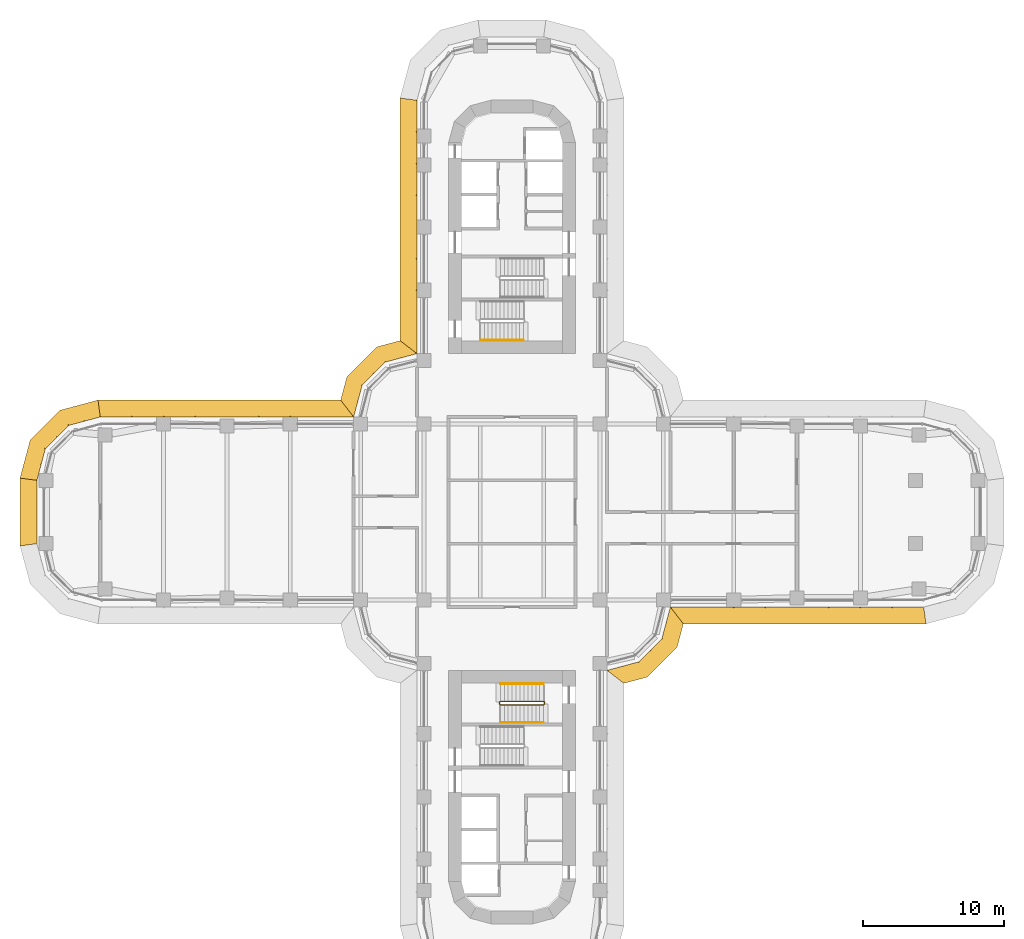
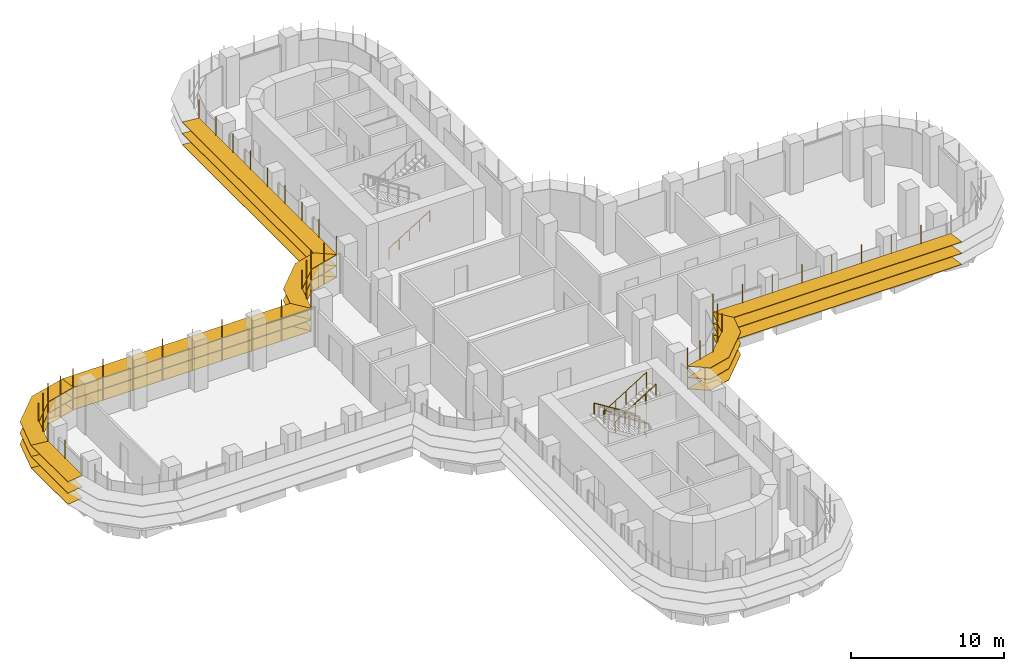
# One storey, part 21 of 23: 7 shading devices, 4 railings.
"""IFC4 building model written with IfcOpenShell, lengths in metres."""

from ifc_helpers import new_model, si_unit, direction, frame, origin, origin_2d, place, context, subcontext, project, spatial, polyline, circle, outline, extrude, faceted_brep, source, transform, mapped, material, type_object, element, save


model = new_model("IFC4")

# Units and contexts
model_context = context("Model", 3, precision=1e-05, world=origin(), true_north=direction((0.0, 1.0)))
body_context = subcontext(model_context, "Body", "Model", "MODEL_VIEW")
ifc_project = project(units=[si_unit("LENGTHUNIT", "METRE"), si_unit("AREAUNIT", "SQUARE_METRE"), si_unit("VOLUMEUNIT", "CUBIC_METRE"), si_unit("PLANEANGLEUNIT", "RADIAN"), si_unit("MASSUNIT", "GRAM", prefix="KILO")], contexts=[model_context])

# Site, building, storey
site_placement = place(None, origin())
site = spatial("IfcSite", under=ifc_project, at=site_placement, CompositionType="ELEMENT")
building_placement = place(site_placement, origin())
building = spatial("IfcBuilding", under=site, at=building_placement, Name="Zarbagh Exchange Tower", CompositionType="ELEMENT")
storey_placement = place(building_placement, frame((0.0, 0.0, 77.39990234375)))
storey = spatial("IfcBuildingStorey", under=building, at=storey_placement, Name="L17", CompositionType="ELEMENT", Elevation=77.39990234375)

# Railings
ifc_material_1 = material(Name="Stainless steel", Category="steel")
railing_type_1 = type_object("IfcRailingType", Name="Stair guard 1100 mm", PredefinedType="GUARDRAIL", material=ifc_material_1)
railing_1_placement = place(storey_placement, frame((-0.8798828125, -13.5, 2.10009765625)))
element("IfcRailing", 1, at=railing_1_placement, inside=storey, type_object=railing_type_1, Name="ST4 stair guard 1", PredefinedType="GUARDRAIL", context=body_context, shape_type="SweptSolid", body=[
    extrude(circle(Radius=0.02392578125, at=origin_2d()), frame((0.0, 0.0, 1.076171875), z_axis=(0.0, -1.0, 0.0), x_axis=(1.0, 0.0, 0.0)), (0.0, 0.0, 1.0), 0.14990234375),
    extrude(circle(Radius=0.02392578125, at=origin_2d()), frame((0.0, -0.14990234375, 1.076171875), z_axis=(0.263862480399, -0.265155923931, 0.927399011991), x_axis=(0.708833529934, 0.705375805398, 0.0)), (0.0, 0.0, 1.0), 0.188720703125),
    extrude(circle(Radius=0.02392578125, at=origin_2d()), frame((0.0498046875, -0.199951171875, 1.2509765625), z_axis=(0.847998304005, 0.0, 0.529998940003), x_axis=(0.0, 1.0, 0.0)), (0.0, 0.0, 1.0), 3.632080078125),
    extrude(circle(Radius=0.02392578125, at=origin_2d()), frame((3.1298828125, -0.199951171875, 3.17626953125), z_axis=(0.011914141993, 0.011914141993, -0.999858043145), x_axis=(-0.707106781187, 0.707106781187, 0.0)), (0.0, 0.0, 1.0), 4.20068359375),
    extrude(circle(Radius=0.02392578125, at=origin_2d()), frame((3.179931640625, -0.14990234375, -1.02392578125), z_axis=(0.0, 1.0, 0.0), x_axis=(-1.0, 0.0, 0.0)), (0.0, 0.0, 1.0), 0.14990234375),
    extrude(circle(Radius=0.02392578125, at=origin_2d()), frame((3.179931640625, 0.0, -1.02392578125), z_axis=(-0.265065253269, 0.265065253269, 0.927081885822), x_axis=(-0.707106781187, -0.707106781187, 0.0)), (0.0, 0.0, 1.0), 0.188720703125),
    extrude(circle(Radius=0.02392578125, at=origin_2d()), frame((3.1298828125, 0.050048828125, -0.84912109375), z_axis=(-0.847998304005, 0.0, 0.529998940003), x_axis=(0.0, -1.0, 0.0)), (0.0, 0.0, 1.0), 3.632080078125),
    extrude(circle(Radius=0.02099609375, at=origin_2d()), origin(), (0.0, 0.0, 1.0), 1.052001953125),
    extrude(circle(Radius=0.02099609375, at=origin_2d()), frame((0.0, -0.14990234375, 0.0)), (0.0, 0.0, 1.0), 1.052001953125),
    extrude(circle(Radius=0.02099609375, at=origin_2d()), frame((0.0498046875, -0.199951171875, 0.175048828125)), (0.0, 0.0, 1.0), 1.052001953125),
    extrude(circle(Radius=0.02099609375, at=origin_2d()), frame((0.81982421875, -0.199951171875, 0.65625)), (0.0, 0.0, 1.0), 1.052001953125),
    extrude(circle(Radius=0.02099609375, at=origin_2d()), frame((1.58984375, -0.199951171875, 1.1376953125)), (0.0, 0.0, 1.0), 1.052001953125),
    extrude(circle(Radius=0.02099609375, at=origin_2d()), frame((2.35986328125, -0.199951171875, 1.618896484375)), (0.0, 0.0, 1.0), 1.052001953125),
    extrude(circle(Radius=0.02099609375, at=origin_2d()), frame((3.1298828125, -0.199951171875, 2.10009765625)), (0.0, 0.0, 1.0), 1.052001953125),
    extrude(circle(Radius=0.02099609375, at=origin_2d()), frame((3.142333984375, -0.1875, 1.050048828125)), (0.0, 0.0, 1.0), 1.052001953125),
    extrude(circle(Radius=0.02099609375, at=origin_2d()), frame((3.15478515625, -0.1748046875, 0.0)), (0.0, 0.0, 1.0), 1.052001953125),
    extrude(circle(Radius=0.02099609375, at=origin_2d()), frame((3.16748046875, -0.162353515625, -1.050048828125)), (0.0, 0.0, 1.0), 1.052001953125),
    extrude(circle(Radius=0.02099609375, at=origin_2d()), frame((3.179931640625, -0.14990234375, -2.10009765625)), (0.0, 0.0, 1.0), 1.052001953125),
    extrude(circle(Radius=0.02099609375, at=origin_2d()), frame((3.179931640625, 0.0, -2.10009765625)), (0.0, 0.0, 1.0), 1.052001953125),
    extrude(circle(Radius=0.02099609375, at=origin_2d()), frame((3.1298828125, 0.050048828125, -1.925048828125)), (0.0, 0.0, 1.0), 1.052001953125),
    extrude(circle(Radius=0.02099609375, at=origin_2d()), frame((2.35986328125, 0.050048828125, -1.44384765625)), (0.0, 0.0, 1.0), 1.052001953125),
    extrude(circle(Radius=0.02099609375, at=origin_2d()), frame((1.58984375, 0.050048828125, -0.96240234375)), (0.0, 0.0, 1.0), 1.052001953125),
    extrude(circle(Radius=0.02099609375, at=origin_2d()), frame((0.81982421875, 0.050048828125, -0.481201171875)), (0.0, 0.0, 1.0), 1.052001953125),
    extrude(circle(Radius=0.02099609375, at=origin_2d()), frame((0.0498046875, 0.050048828125, 0.0)), (0.0, 0.0, 1.0), 1.052001953125),
])
railing_type_2 = type_object("IfcRailingType", Name="Stair handrail 900 mm", PredefinedType="HANDRAIL", material=ifc_material_1)
railing_2_placement = place(storey_placement, frame((-2.25, 12.199951171875, 0.175048828125)))
element("IfcRailing", 2, at=railing_2_placement, inside=storey, type_object=railing_type_2, Name="ST2 stair handrail 1", PredefinedType="HANDRAIL", context=body_context, shape_type="SweptSolid", body=[
    extrude(circle(Radius=0.02392578125, at=origin_2d()), frame((0.0, 0.0, 0.8759765625), z_axis=(0.847998304005, 0.0, 0.529998940003), x_axis=(0.0, 1.0, 0.0)), (0.0, 0.0, 1.0), 3.632080078125),
    extrude(circle(Radius=0.02099609375, at=origin_2d()), origin(), (0.0, 0.0, 1.0), 0.851806640625),
    extrude(circle(Radius=0.02099609375, at=origin_2d()), frame((0.77001953125, 0.0, 0.481201171875)), (0.0, 0.0, 1.0), 0.851806640625),
    extrude(circle(Radius=0.02099609375, at=origin_2d()), frame((1.5400390625, 0.0, 0.96240234375)), (0.0, 0.0, 1.0), 0.851806640625),
    extrude(circle(Radius=0.02099609375, at=origin_2d()), frame((2.31005859375, 0.0, 1.44384765625)), (0.0, 0.0, 1.0), 0.851806640625),
    extrude(circle(Radius=0.02099609375, at=origin_2d()), frame((3.080078125, 0.0, 1.925048828125)), (0.0, 0.0, 1.0), 0.851806640625),
])
railing_3_placement = place(storey_placement, frame((2.25, -12.199951171875, 0.175048828125)))
element("IfcRailing", 3, at=railing_3_placement, inside=storey, type_object=railing_type_2, Name="ST4 stair handrail 1", PredefinedType="HANDRAIL", context=body_context, shape_type="SweptSolid", body=[
    extrude(circle(Radius=0.02392578125, at=origin_2d()), frame((0.0, 0.0, 0.8759765625), z_axis=(-0.847998304005, 0.0, 0.529998940003), x_axis=(0.0, -1.0, 0.0)), (0.0, 0.0, 1.0), 3.632080078125),
    extrude(circle(Radius=0.02099609375, at=origin_2d()), origin(), (0.0, 0.0, 1.0), 0.851806640625),
    extrude(circle(Radius=0.02099609375, at=origin_2d()), frame((-0.77001953125, 0.0, 0.481201171875)), (0.0, 0.0, 1.0), 0.851806640625),
    extrude(circle(Radius=0.02099609375, at=origin_2d()), frame((-1.5400390625, 0.0, 0.96240234375)), (0.0, 0.0, 1.0), 0.851806640625),
    extrude(circle(Radius=0.02099609375, at=origin_2d()), frame((-2.31005859375, 0.0, 1.44384765625)), (0.0, 0.0, 1.0), 0.851806640625),
    extrude(circle(Radius=0.02099609375, at=origin_2d()), frame((-3.080078125, 0.0, 1.925048828125)), (0.0, 0.0, 1.0), 0.851806640625),
])
railing_4_placement = place(storey_placement, frame((-0.830078125, -14.949951171875, 2.275146484375)))
element("IfcRailing", 4, at=railing_4_placement, inside=storey, type_object=railing_type_2, Name="ST4 stair handrail 2", PredefinedType="HANDRAIL", context=body_context, shape_type="SweptSolid", body=[
    extrude(circle(Radius=0.02392578125, at=origin_2d()), frame((0.0, 0.0, 0.8759765625), z_axis=(0.847998304005, 0.0, 0.529998940003), x_axis=(0.0, 1.0, 0.0)), (0.0, 0.0, 1.0), 3.632080078125),
    extrude(circle(Radius=0.02099609375, at=origin_2d()), origin(), (0.0, 0.0, 1.0), 0.851806640625),
    extrude(circle(Radius=0.02099609375, at=origin_2d()), frame((0.77001953125, 0.0, 0.481201171875)), (0.0, 0.0, 1.0), 0.851806640625),
    extrude(circle(Radius=0.02099609375, at=origin_2d()), frame((1.5400390625, 0.0, 0.96240234375)), (0.0, 0.0, 1.0), 0.851806640625),
    extrude(circle(Radius=0.02099609375, at=origin_2d()), frame((2.31005859375, 0.0, 1.44384765625)), (0.0, 0.0, 1.0), 0.851806640625),
    extrude(circle(Radius=0.02099609375, at=origin_2d()), frame((3.080078125, 0.0, 1.925048828125)), (0.0, 0.0, 1.0), 0.851806640625),
])

# Shading devices
ifc_material_2 = material(Name="Anodised aluminium blades and brackets", Category="aluminium")
shading_device_type = type_object("IfcShadingDeviceType", Name="SUNSHADE louvre band, 0 degree blades", PredefinedType="JALOUSIE", material=ifc_material_2)
shared_shape_1 = source(origin(), body_context, "Body", "Brep", [
    faceted_brep([(0.0, 0.0, 0.0), (0.0, 0.0, -0.0400390625), (-0.157958984375, -1.199951171875, -0.0400390625), (-0.157958984375, -1.199951171875, 0.0), (2.65087890625, -1.199951171875, 0.0), (2.65087890625, -1.199951171875, -0.0400390625), (2.329345703125, 0.0, -0.0400390625), (2.329345703125, 0.0, 0.0)], [[[0, 1, 2, 3]], [[4, 5, 6, 7]], [[0, 7, 6, 1]], [[1, 6, 5, 2]], [[2, 5, 4, 3]], [[3, 4, 7, 0]]]),
])
shared_shape_2 = source(origin(), body_context, "Body", "Brep", [
    faceted_brep([(0.0, 0.0, 0.0), (0.0, 0.0, -0.0400390625), (-0.321533203125, -1.199951171875, -0.0400390625), (-0.321533203125, -1.199951171875, 0.0), (2.65087890625, -1.199951171875, 0.0), (2.65087890625, -1.199951171875, -0.0400390625), (2.329345703125, 0.0, -0.0400390625), (2.329345703125, 0.0, 0.0)], [[[0, 1, 2, 3]], [[4, 5, 6, 7]], [[0, 7, 6, 1]], [[1, 6, 5, 2]], [[2, 5, 4, 3]], [[3, 4, 7, 0]]]),
])
shared_shape_3 = source(origin(), body_context, "Body", "Brep", [
    faceted_brep([(0.0, 0.0, 0.0), (0.0, 0.0, -0.0400390625), (-0.321533203125, -1.199951171875, -0.0400390625), (-0.321533203125, -1.199951171875, 0.0), (2.4873046875, -1.199951171875, 0.0), (2.4873046875, -1.199951171875, -0.0400390625), (2.329345703125, 0.0, -0.0400390625), (2.329345703125, 0.0, 0.0)], [[[0, 1, 2, 3]], [[4, 5, 6, 7]], [[0, 7, 6, 1]], [[1, 6, 5, 2]], [[2, 5, 4, 3]], [[3, 4, 7, 0]]]),
])
shared_shape_4 = source(origin(), body_context, "Body", "SweptSolid", [
    extrude(outline(polyline([(0.0, -0.012451171875), (0.06005859375, -0.012451171875), (0.06005859375, 0.012451171875), (0.0, 0.012451171875), (0.0, -0.012451171875)])), origin(), (0.0, 0.0, 1.0), 3.35009765625),
])
placement = place(storey_placement, origin())
element("IfcShadingDevice", 5, at=placement, inside=storey, type_object=shading_device_type, Name="SS17 sunshade band", PredefinedType="JALOUSIE", context=body_context, shape_type="MappedRepresentation", body=[
    mapped(shared_shape_1, transform((-29.25, 6.75, 2.7001953125), x_axis=(-0.965924289636, -0.258824779902, 0.0), y_axis=(0.258824779902, -0.965924289636, 0.0), z_axis=(0.0, 0.0, 1.0))),
    mapped(shared_shape_1, transform((-29.25, 6.75, 1.800048828125), x_axis=(-0.965924289636, -0.258824779902, 0.0), y_axis=(0.258824779902, -0.965924289636, 0.0), z_axis=(0.0, 0.0, 1.0))),
    mapped(shared_shape_1, transform((-29.25, 6.75, 0.900146484375), x_axis=(-0.965924289636, -0.258824779902, 0.0), y_axis=(0.258824779902, -0.965924289636, 0.0), z_axis=(0.0, 0.0, 1.0))),
    mapped(shared_shape_2, transform((-31.5, 6.147216796875, 2.7001953125), x_axis=(-0.707106781187, -0.707106781187, 0.0), y_axis=(0.707106781187, -0.707106781187, 0.0), z_axis=(0.0, 0.0, 1.0))),
    mapped(shared_shape_2, transform((-31.5, 6.147216796875, 1.800048828125), x_axis=(-0.707106781187, -0.707106781187, 0.0), y_axis=(0.707106781187, -0.707106781187, 0.0), z_axis=(0.0, 0.0, 1.0))),
    mapped(shared_shape_2, transform((-31.5, 6.147216796875, 0.900146484375), x_axis=(-0.707106781187, -0.707106781187, 0.0), y_axis=(0.707106781187, -0.707106781187, 0.0), z_axis=(0.0, 0.0, 1.0))),
    mapped(shared_shape_3, transform((-33.147216796875, 4.5, 2.7001953125), x_axis=(-0.258824779902, -0.965924289636, 0.0), y_axis=(0.965924289636, -0.258824779902, 0.0), z_axis=(0.0, 0.0, 1.0))),
    mapped(shared_shape_3, transform((-33.147216796875, 4.5, 1.800048828125), x_axis=(-0.258824779902, -0.965924289636, 0.0), y_axis=(0.965924289636, -0.258824779902, 0.0), z_axis=(0.0, 0.0, 1.0))),
    mapped(shared_shape_3, transform((-33.147216796875, 4.5, 0.900146484375), x_axis=(-0.258824779902, -0.965924289636, 0.0), y_axis=(0.965924289636, -0.258824779902, 0.0), z_axis=(0.0, 0.0, 1.0))),
    mapped(shared_shape_4, transform((-29.25, 6.75, 0.830078125), x_axis=(-0.130529263012, 0.991444457092, 0.0), y_axis=(-0.991444457092, -0.130529263012, 0.0), z_axis=(0.0, 0.0, 1.0))),
    mapped(shared_shape_4, transform((-30.375, 6.448486328125, 0.830078125), x_axis=(-0.258825058029, 0.96592421511, 0.0), y_axis=(-0.96592421511, -0.258825058029, 0.0), z_axis=(0.0, 0.0, 1.0))),
    mapped(shared_shape_4, transform((-31.5, 6.147216796875, 0.830078125), x_axis=(-0.50000275701, 0.866023812018, 0.0), y_axis=(-0.866023812018, -0.50000275701, 0.0), z_axis=(0.0, 0.0, 1.0))),
    mapped(shared_shape_4, transform((-32.323486328125, 5.323486328125, 0.830078125), x_axis=(-0.707106781187, 0.707106781187, 0.0), y_axis=(-0.707106781187, -0.707106781187, 0.0), z_axis=(0.0, 0.0, 1.0))),
    mapped(shared_shape_4, transform((-33.147216796875, 4.5, 0.830078125), x_axis=(-0.866023812018, 0.50000275701, 0.0), y_axis=(-0.50000275701, -0.866023812018, 0.0), z_axis=(0.0, 0.0, 1.0))),
    mapped(shared_shape_4, transform((-33.448486328125, 3.375, 0.830078125), x_axis=(-0.96592421511, 0.258825058029, 0.0), y_axis=(-0.258825058029, -0.96592421511, 0.0), z_axis=(0.0, 0.0, 1.0))),
])
shared_shape_5 = source(origin(), body_context, "Body", "Brep", [
    faceted_brep([(0.0, 0.0, 0.0), (0.0, 0.0, -0.0400390625), (0.9208984375, -1.199951171875, -0.0400390625), (0.9208984375, -1.199951171875, 0.0), (2.65087890625, -1.199951171875, 0.0), (2.65087890625, -1.199951171875, -0.0400390625), (2.329345703125, 0.0, -0.0400390625), (2.329345703125, 0.0, 0.0)], [[[0, 1, 2, 3]], [[4, 5, 6, 7]], [[0, 7, 6, 1]], [[1, 6, 5, 2]], [[2, 5, 4, 3]], [[3, 4, 7, 0]]]),
])
shared_shape_6 = source(origin(), body_context, "Body", "Brep", [
    faceted_brep([(0.0, 0.0, 0.0), (0.0, 0.0, -0.0400390625), (-0.321533203125, -1.199951171875, -0.0400390625), (-0.321533203125, -1.199951171875, 0.0), (1.40869140625, -1.199951171875, 0.0), (1.40869140625, -1.199951171875, -0.0400390625), (2.329345703125, 0.0, -0.0400390625), (2.329345703125, 0.0, 0.0)], [[[0, 1, 2, 3]], [[4, 5, 6, 7]], [[0, 7, 6, 1]], [[1, 6, 5, 2]], [[2, 5, 4, 3]], [[3, 4, 7, 0]]]),
])
element("IfcShadingDevice", 6, at=placement, inside=storey, type_object=shading_device_type, Name="SS03 sunshade band", PredefinedType="JALOUSIE", context=body_context, shape_type="MappedRepresentation", body=[
    mapped(shared_shape_5, transform((6.75, -11.25, 2.7001953125), x_axis=(0.965924289636, 0.258824779902, 0.0), y_axis=(-0.258824779902, 0.965924289636, 0.0), z_axis=(0.0, 0.0, 1.0))),
    mapped(shared_shape_5, transform((6.75, -11.25, 1.800048828125), x_axis=(0.965924289636, 0.258824779902, 0.0), y_axis=(-0.258824779902, 0.965924289636, 0.0), z_axis=(0.0, 0.0, 1.0))),
    mapped(shared_shape_5, transform((6.75, -11.25, 0.900146484375), x_axis=(0.965924289636, 0.258824779902, 0.0), y_axis=(-0.258824779902, 0.965924289636, 0.0), z_axis=(0.0, 0.0, 1.0))),
    mapped(shared_shape_2, transform((9.0, -10.647216796875, 2.7001953125), x_axis=(0.707106781187, 0.707106781187, 0.0), y_axis=(-0.707106781187, 0.707106781187, 0.0), z_axis=(0.0, 0.0, 1.0))),
    mapped(shared_shape_2, transform((9.0, -10.647216796875, 1.800048828125), x_axis=(0.707106781187, 0.707106781187, 0.0), y_axis=(-0.707106781187, 0.707106781187, 0.0), z_axis=(0.0, 0.0, 1.0))),
    mapped(shared_shape_2, transform((9.0, -10.647216796875, 0.900146484375), x_axis=(0.707106781187, 0.707106781187, 0.0), y_axis=(-0.707106781187, 0.707106781187, 0.0), z_axis=(0.0, 0.0, 1.0))),
    mapped(shared_shape_6, transform((10.647216796875, -9.0, 2.7001953125), x_axis=(0.258824779902, 0.965924289636, 0.0), y_axis=(-0.965924289636, 0.258824779902, 0.0), z_axis=(0.0, 0.0, 1.0))),
    mapped(shared_shape_6, transform((10.647216796875, -9.0, 1.800048828125), x_axis=(0.258824779902, 0.965924289636, 0.0), y_axis=(-0.965924289636, 0.258824779902, 0.0), z_axis=(0.0, 0.0, 1.0))),
    mapped(shared_shape_6, transform((10.647216796875, -9.0, 0.900146484375), x_axis=(0.258824779902, 0.965924289636, 0.0), y_axis=(-0.965924289636, 0.258824779902, 0.0), z_axis=(0.0, 0.0, 1.0))),
    mapped(shared_shape_4, transform((6.75, -11.25, 0.830078125), x_axis=(0.793355287, -0.608758892, 0.0), y_axis=(0.608758892, 0.793355287, 0.0), z_axis=(0.0, 0.0, 1.0))),
    mapped(shared_shape_4, transform((7.875, -10.948486328125, 0.830078125), x_axis=(0.258825058029, -0.96592421511, 0.0), y_axis=(0.96592421511, 0.258825058029, 0.0), z_axis=(0.0, 0.0, 1.0))),
    mapped(shared_shape_4, transform((9.0, -10.647216796875, 0.830078125), x_axis=(0.50000275701, -0.866023812018, 0.0), y_axis=(0.866023812018, 0.50000275701, 0.0), z_axis=(0.0, 0.0, 1.0))),
    mapped(shared_shape_4, transform((9.823486328125, -9.823486328125, 0.830078125), x_axis=(0.707106781187, -0.707106781187, 0.0), y_axis=(0.707106781187, 0.707106781187, 0.0), z_axis=(0.0, 0.0, 1.0))),
    mapped(shared_shape_4, transform((10.647216796875, -9.0, 0.830078125), x_axis=(0.866023812018, -0.50000275701, 0.0), y_axis=(0.50000275701, 0.866023812018, 0.0), z_axis=(0.0, 0.0, 1.0))),
    mapped(shared_shape_4, transform((10.948486328125, -7.875, 0.830078125), x_axis=(0.96592421511, -0.258825058029, 0.0), y_axis=(0.258825058029, 0.96592421511, 0.0), z_axis=(0.0, 0.0, 1.0))),
])
element("IfcShadingDevice", 7, at=placement, inside=storey, type_object=shading_device_type, Name="SS15 sunshade band", PredefinedType="JALOUSIE", context=body_context, shape_type="MappedRepresentation", body=[
    mapped(shared_shape_5, transform((-6.75, 11.25, 2.7001953125), x_axis=(-0.965924289636, -0.258824779902, 0.0), y_axis=(0.258824779902, -0.965924289636, 0.0), z_axis=(0.0, 0.0, 1.0))),
    mapped(shared_shape_5, transform((-6.75, 11.25, 1.800048828125), x_axis=(-0.965924289636, -0.258824779902, 0.0), y_axis=(0.258824779902, -0.965924289636, 0.0), z_axis=(0.0, 0.0, 1.0))),
    mapped(shared_shape_5, transform((-6.75, 11.25, 0.900146484375), x_axis=(-0.965924289636, -0.258824779902, 0.0), y_axis=(0.258824779902, -0.965924289636, 0.0), z_axis=(0.0, 0.0, 1.0))),
    mapped(shared_shape_2, transform((-9.0, 10.647216796875, 2.7001953125), x_axis=(-0.707106781187, -0.707106781187, 0.0), y_axis=(0.707106781187, -0.707106781187, 0.0), z_axis=(0.0, 0.0, 1.0))),
    mapped(shared_shape_2, transform((-9.0, 10.647216796875, 1.800048828125), x_axis=(-0.707106781187, -0.707106781187, 0.0), y_axis=(0.707106781187, -0.707106781187, 0.0), z_axis=(0.0, 0.0, 1.0))),
    mapped(shared_shape_2, transform((-9.0, 10.647216796875, 0.900146484375), x_axis=(-0.707106781187, -0.707106781187, 0.0), y_axis=(0.707106781187, -0.707106781187, 0.0), z_axis=(0.0, 0.0, 1.0))),
    mapped(shared_shape_6, transform((-10.647216796875, 9.0, 2.7001953125), x_axis=(-0.258824779902, -0.965924289636, 0.0), y_axis=(0.965924289636, -0.258824779902, 0.0), z_axis=(0.0, 0.0, 1.0))),
    mapped(shared_shape_6, transform((-10.647216796875, 9.0, 1.800048828125), x_axis=(-0.258824779902, -0.965924289636, 0.0), y_axis=(0.965924289636, -0.258824779902, 0.0), z_axis=(0.0, 0.0, 1.0))),
    mapped(shared_shape_6, transform((-10.647216796875, 9.0, 0.900146484375), x_axis=(-0.258824779902, -0.965924289636, 0.0), y_axis=(0.965924289636, -0.258824779902, 0.0), z_axis=(0.0, 0.0, 1.0))),
    mapped(shared_shape_4, transform((-6.75, 11.25, 0.830078125), x_axis=(-0.793355287, 0.608758892, 0.0), y_axis=(-0.608758892, -0.793355287, 0.0), z_axis=(0.0, 0.0, 1.0))),
    mapped(shared_shape_4, transform((-7.875, 10.948486328125, 0.830078125), x_axis=(-0.258825058029, 0.96592421511, 0.0), y_axis=(-0.96592421511, -0.258825058029, 0.0), z_axis=(0.0, 0.0, 1.0))),
    mapped(shared_shape_4, transform((-9.0, 10.647216796875, 0.830078125), x_axis=(-0.50000275701, 0.866023812018, 0.0), y_axis=(-0.866023812018, -0.50000275701, 0.0), z_axis=(0.0, 0.0, 1.0))),
    mapped(shared_shape_4, transform((-9.823486328125, 9.823486328125, 0.830078125), x_axis=(-0.707106781187, 0.707106781187, 0.0), y_axis=(-0.707106781187, -0.707106781187, 0.0), z_axis=(0.0, 0.0, 1.0))),
    mapped(shared_shape_4, transform((-10.647216796875, 9.0, 0.830078125), x_axis=(-0.866023812018, 0.50000275701, 0.0), y_axis=(-0.50000275701, -0.866023812018, 0.0), z_axis=(0.0, 0.0, 1.0))),
    mapped(shared_shape_4, transform((-10.948486328125, 7.875, 0.830078125), x_axis=(-0.96592421511, 0.258825058029, 0.0), y_axis=(-0.258825058029, -0.96592421511, 0.0), z_axis=(0.0, 0.0, 1.0))),
])
shared_shape_7 = source(origin(), body_context, "Body", "Brep", [
    faceted_brep([(0.0, 0.0, 0.0), (0.0, 0.0, -0.0400390625), (0.9208984375, -1.199951171875, -0.0400390625), (0.9208984375, -1.199951171875, 0.0), (18.157958984375, -1.199951171875, 0.0), (18.157958984375, -1.199951171875, -0.0400390625), (18.0, 0.0, -0.0400390625), (18.0, 0.0, 0.0)], [[[0, 1, 2, 3]], [[4, 5, 6, 7]], [[0, 7, 6, 1]], [[1, 6, 5, 2]], [[2, 5, 4, 3]], [[3, 4, 7, 0]]]),
])
element("IfcShadingDevice", 8, at=placement, inside=storey, type_object=shading_device_type, Name="SS04 sunshade band", PredefinedType="JALOUSIE", context=body_context, shape_type="MappedRepresentation", body=[
    mapped(shared_shape_7, transform((11.25, -6.75, 2.7001953125), x_axis=(1.0, 0.0, 0.0), y_axis=(0.0, 1.0, 0.0), z_axis=(0.0, 0.0, 1.0))),
    mapped(shared_shape_7, transform((11.25, -6.75, 1.800048828125), x_axis=(1.0, 0.0, 0.0), y_axis=(0.0, 1.0, 0.0), z_axis=(0.0, 0.0, 1.0))),
    mapped(shared_shape_7, transform((11.25, -6.75, 0.900146484375), x_axis=(1.0, 0.0, 0.0), y_axis=(0.0, 1.0, 0.0), z_axis=(0.0, 0.0, 1.0))),
    mapped(shared_shape_4, transform((11.25, -6.75, 0.830078125), x_axis=(0.608758892, -0.793355287, 0.0), y_axis=(0.793355287, 0.608758892, 0.0), z_axis=(0.0, 0.0, 1.0))),
    mapped(shared_shape_4, transform((13.5, -6.75, 0.830078125), x_axis=(0.0, -1.0, 0.0), y_axis=(1.0, 0.0, 0.0), z_axis=(0.0, 0.0, 1.0))),
    mapped(shared_shape_4, transform((15.75, -6.75, 0.830078125), x_axis=(0.0, -1.0, 0.0), y_axis=(1.0, 0.0, 0.0), z_axis=(0.0, 0.0, 1.0))),
    mapped(shared_shape_4, transform((18.0, -6.75, 0.830078125), x_axis=(0.0, -1.0, 0.0), y_axis=(1.0, 0.0, 0.0), z_axis=(0.0, 0.0, 1.0))),
    mapped(shared_shape_4, transform((20.25, -6.75, 0.830078125), x_axis=(0.0, -1.0, 0.0), y_axis=(1.0, 0.0, 0.0), z_axis=(0.0, 0.0, 1.0))),
    mapped(shared_shape_4, transform((22.5, -6.75, 0.830078125), x_axis=(0.0, -1.0, 0.0), y_axis=(1.0, 0.0, 0.0), z_axis=(0.0, 0.0, 1.0))),
    mapped(shared_shape_4, transform((24.75, -6.75, 0.830078125), x_axis=(0.0, -1.0, 0.0), y_axis=(1.0, 0.0, 0.0), z_axis=(0.0, 0.0, 1.0))),
    mapped(shared_shape_4, transform((27.0, -6.75, 0.830078125), x_axis=(0.0, -1.0, 0.0), y_axis=(1.0, 0.0, 0.0), z_axis=(0.0, 0.0, 1.0))),
])
shared_shape_8 = source(origin(), body_context, "Body", "Brep", [
    faceted_brep([(0.0, 0.0, 0.0), (0.0, 0.0, -0.0400390625), (-0.157958984375, -1.199951171875, -0.0400390625), (-0.157958984375, -1.199951171875, 0.0), (17.0791015625, -1.199951171875, 0.0), (17.0791015625, -1.199951171875, -0.0400390625), (18.0, 0.0, -0.0400390625), (18.0, 0.0, 0.0)], [[[0, 1, 2, 3]], [[4, 5, 6, 7]], [[0, 7, 6, 1]], [[1, 6, 5, 2]], [[2, 5, 4, 3]], [[3, 4, 7, 0]]]),
])
element("IfcShadingDevice", 9, at=placement, inside=storey, type_object=shading_device_type, Name="SS14 sunshade band", PredefinedType="JALOUSIE", context=body_context, shape_type="MappedRepresentation", body=[
    mapped(shared_shape_8, transform((-6.75, 29.25, 2.7001953125), x_axis=(0.0, -1.0, 0.0), y_axis=(1.0, 0.0, 0.0), z_axis=(0.0, 0.0, 1.0))),
    mapped(shared_shape_8, transform((-6.75, 29.25, 1.800048828125), x_axis=(0.0, -1.0, 0.0), y_axis=(1.0, 0.0, 0.0), z_axis=(0.0, 0.0, 1.0))),
    mapped(shared_shape_8, transform((-6.75, 29.25, 0.900146484375), x_axis=(0.0, -1.0, 0.0), y_axis=(1.0, 0.0, 0.0), z_axis=(0.0, 0.0, 1.0))),
    mapped(shared_shape_4, transform((-6.75, 29.25, 0.830078125), x_axis=(-0.991444457092, 0.130529263012, 0.0), y_axis=(-0.130529263012, -0.991444457092, 0.0), z_axis=(0.0, 0.0, 1.0))),
    mapped(shared_shape_4, transform((-6.75, 27.0, 0.830078125), x_axis=(-1.0, 0.0, 0.0), y_axis=(0.0, -1.0, 0.0), z_axis=(0.0, 0.0, 1.0))),
    mapped(shared_shape_4, transform((-6.75, 24.75, 0.830078125), x_axis=(-1.0, 0.0, 0.0), y_axis=(0.0, -1.0, 0.0), z_axis=(0.0, 0.0, 1.0))),
    mapped(shared_shape_4, transform((-6.75, 22.5, 0.830078125), x_axis=(-1.0, 0.0, 0.0), y_axis=(0.0, -1.0, 0.0), z_axis=(0.0, 0.0, 1.0))),
    mapped(shared_shape_4, transform((-6.75, 20.25, 0.830078125), x_axis=(-1.0, 0.0, 0.0), y_axis=(0.0, -1.0, 0.0), z_axis=(0.0, 0.0, 1.0))),
    mapped(shared_shape_4, transform((-6.75, 18.0, 0.830078125), x_axis=(-1.0, 0.0, 0.0), y_axis=(0.0, -1.0, 0.0), z_axis=(0.0, 0.0, 1.0))),
    mapped(shared_shape_4, transform((-6.75, 15.75, 0.830078125), x_axis=(-1.0, 0.0, 0.0), y_axis=(0.0, -1.0, 0.0), z_axis=(0.0, 0.0, 1.0))),
    mapped(shared_shape_4, transform((-6.75, 13.5, 0.830078125), x_axis=(-1.0, 0.0, 0.0), y_axis=(0.0, -1.0, 0.0), z_axis=(0.0, 0.0, 1.0))),
])
element("IfcShadingDevice", 10, at=placement, inside=storey, type_object=shading_device_type, Name="SS16 sunshade band", PredefinedType="JALOUSIE", context=body_context, shape_type="MappedRepresentation", body=[
    mapped(shared_shape_7, transform((-11.25, 6.75, 2.7001953125), x_axis=(-1.0, 0.0, 0.0), y_axis=(0.0, -1.0, 0.0), z_axis=(0.0, 0.0, 1.0))),
    mapped(shared_shape_7, transform((-11.25, 6.75, 1.800048828125), x_axis=(-1.0, 0.0, 0.0), y_axis=(0.0, -1.0, 0.0), z_axis=(0.0, 0.0, 1.0))),
    mapped(shared_shape_7, transform((-11.25, 6.75, 0.900146484375), x_axis=(-1.0, 0.0, 0.0), y_axis=(0.0, -1.0, 0.0), z_axis=(0.0, 0.0, 1.0))),
    mapped(shared_shape_4, transform((-11.25, 6.75, 0.830078125), x_axis=(-0.608758892, 0.793355287, 0.0), y_axis=(-0.793355287, -0.608758892, 0.0), z_axis=(0.0, 0.0, 1.0))),
    mapped(shared_shape_4, transform((-13.5, 6.75, 0.830078125), x_axis=(0.0, 1.0, 0.0), y_axis=(-1.0, 0.0, 0.0), z_axis=(0.0, 0.0, 1.0))),
    mapped(shared_shape_4, transform((-15.75, 6.75, 0.830078125), x_axis=(0.0, 1.0, 0.0), y_axis=(-1.0, 0.0, 0.0), z_axis=(0.0, 0.0, 1.0))),
    mapped(shared_shape_4, transform((-18.0, 6.75, 0.830078125), x_axis=(0.0, 1.0, 0.0), y_axis=(-1.0, 0.0, 0.0), z_axis=(0.0, 0.0, 1.0))),
    mapped(shared_shape_4, transform((-20.25, 6.75, 0.830078125), x_axis=(0.0, 1.0, 0.0), y_axis=(-1.0, 0.0, 0.0), z_axis=(0.0, 0.0, 1.0))),
    mapped(shared_shape_4, transform((-22.5, 6.75, 0.830078125), x_axis=(0.0, 1.0, 0.0), y_axis=(-1.0, 0.0, 0.0), z_axis=(0.0, 0.0, 1.0))),
    mapped(shared_shape_4, transform((-24.75, 6.75, 0.830078125), x_axis=(0.0, 1.0, 0.0), y_axis=(-1.0, 0.0, 0.0), z_axis=(0.0, 0.0, 1.0))),
    mapped(shared_shape_4, transform((-27.0, 6.75, 0.830078125), x_axis=(0.0, 1.0, 0.0), y_axis=(-1.0, 0.0, 0.0), z_axis=(0.0, 0.0, 1.0))),
])
shared_shape_9 = source(origin(), body_context, "Body", "Brep", [
    faceted_brep([(0.0, 0.0, 0.0), (0.0, 0.0, -0.0400390625), (-0.157958984375, -1.199951171875, -0.0400390625), (-0.157958984375, -1.199951171875, 0.0), (4.657958984375, -1.199951171875, 0.0), (4.657958984375, -1.199951171875, -0.0400390625), (4.5, 0.0, -0.0400390625), (4.5, 0.0, 0.0)], [[[0, 1, 2, 3]], [[4, 5, 6, 7]], [[0, 7, 6, 1]], [[1, 6, 5, 2]], [[2, 5, 4, 3]], [[3, 4, 7, 0]]]),
])
element("IfcShadingDevice", 11, at=placement, inside=storey, type_object=shading_device_type, Name="SS18 sunshade band", PredefinedType="JALOUSIE", context=body_context, shape_type="MappedRepresentation", body=[
    mapped(shared_shape_9, transform((-33.75, 2.25, 2.7001953125), x_axis=(0.0, -1.0, 0.0), y_axis=(1.0, 0.0, 0.0), z_axis=(0.0, 0.0, 1.0))),
    mapped(shared_shape_9, transform((-33.75, 2.25, 1.800048828125), x_axis=(0.0, -1.0, 0.0), y_axis=(1.0, 0.0, 0.0), z_axis=(0.0, 0.0, 1.0))),
    mapped(shared_shape_9, transform((-33.75, 2.25, 0.900146484375), x_axis=(0.0, -1.0, 0.0), y_axis=(1.0, 0.0, 0.0), z_axis=(0.0, 0.0, 1.0))),
    mapped(shared_shape_4, transform((-33.75, 2.25, 0.830078125), x_axis=(-0.991444457092, 0.130529263012, 0.0), y_axis=(-0.130529263012, -0.991444457092, 0.0), z_axis=(0.0, 0.0, 1.0))),
    mapped(shared_shape_4, transform((-33.75, 0.0, 0.830078125), x_axis=(-1.0, 0.0, 0.0), y_axis=(0.0, -1.0, 0.0), z_axis=(0.0, 0.0, 1.0))),
])

save(model, "model.ifc")
